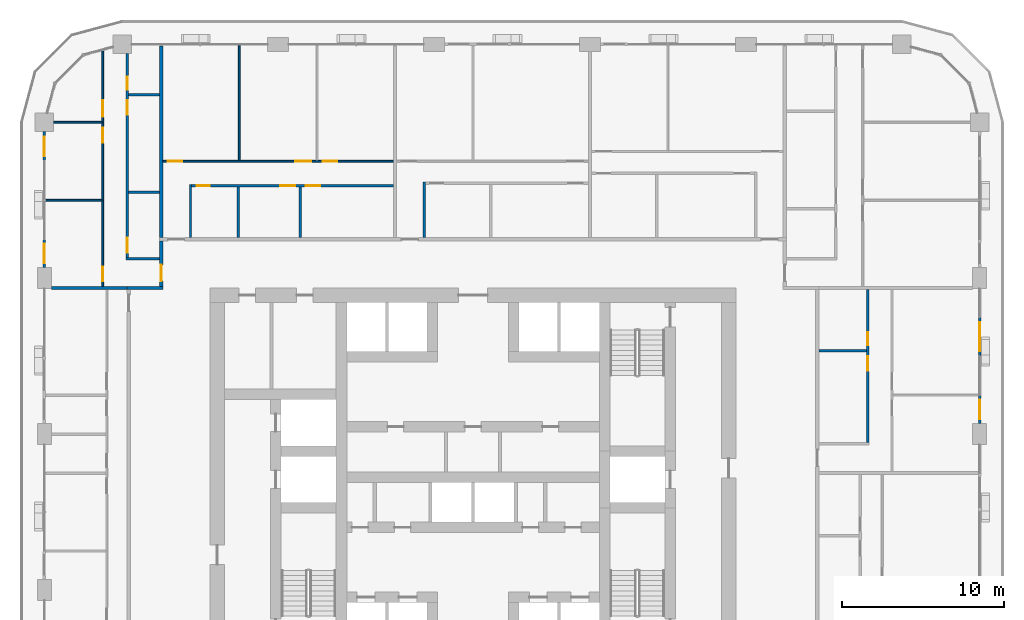
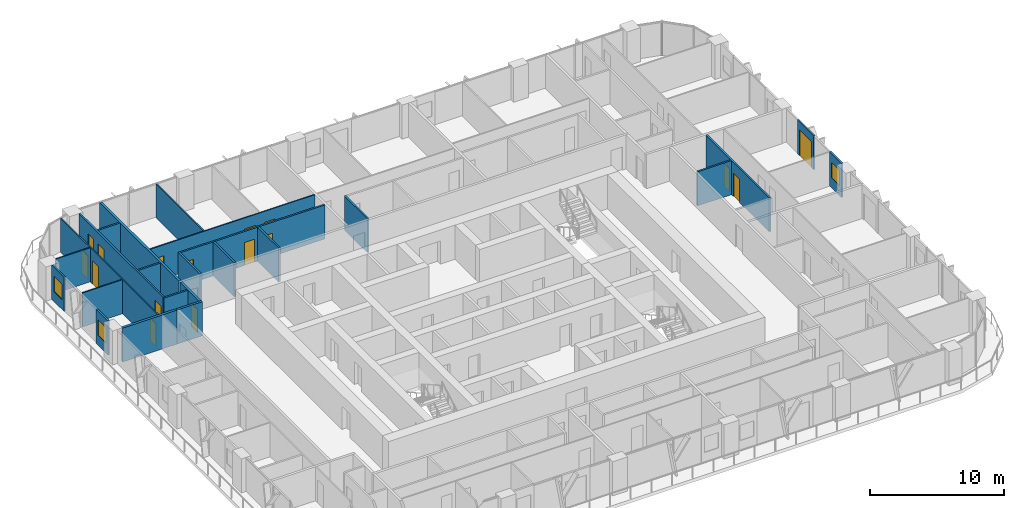
# One storey, part 13 of 21: 24 walls, 16 doors, 3 windows, 19 openings.
"""IFC4 building model written with IfcOpenShell, lengths in metres."""

from ifc_helpers import new_model, si_unit, direction, frame, frame_2d, origin, place, context, subcontext, project, spatial, rectangle, extrude, material, layer, layer_set, type_object, element, fill, save


model = new_model("IFC4")

# Units and contexts
model_context = context("Model", 3, precision=1e-05, world=origin(), true_north=direction((0.0, 1.0)))
body_context = subcontext(model_context, "Body", "Model", "MODEL_VIEW")
ifc_project = project(units=[si_unit("LENGTHUNIT", "METRE"), si_unit("AREAUNIT", "SQUARE_METRE"), si_unit("VOLUMEUNIT", "CUBIC_METRE"), si_unit("PLANEANGLEUNIT", "RADIAN"), si_unit("MASSUNIT", "GRAM", prefix="KILO")], contexts=[model_context])

# Site, building, storey
site_placement = place(None, origin())
site = spatial("IfcSite", under=ifc_project, at=site_placement, CompositionType="ELEMENT")
building_placement = place(site_placement, origin())
building = spatial("IfcBuilding", under=site, at=building_placement, Name="Madar Terraces", CompositionType="ELEMENT")
storey_placement = place(building_placement, frame((0.0, 0.0, 110.199951171875)))
storey = spatial("IfcBuildingStorey", under=building, at=storey_placement, Name="L28", CompositionType="ELEMENT", Elevation=110.199951171875)

# Wall, opening, window
ifc_material_1 = material(Name="Aluminium composite panel, black, over insulated backing", Category="aluminium")
ifc_layer_1 = layer(ifc_material_1, 0.14990234375)
ifc_layer_set_1 = layer_set([ifc_layer_1], Name="Facade bay panel 150")
wall_type_1 = type_object("IfcWallType", Name="Facade bay panel 150", PredefinedType="SOLIDWALL", material=ifc_layer_set_1)
wall_1_placement = place(storey_placement, frame((62.39990234375, 29.449951171875, 0.0), z_axis=(0.0, 0.0, 1.0), x_axis=(0.0, 1.0, 0.0)))
wall_1 = element("IfcWall", 1, at=wall_1_placement, inside=storey, type_object=wall_type_1, Name="Facade bay panel", PredefinedType="SOLIDWALL", context=body_context, shape_type="SweptSolid", body=[
    extrude(rectangle(XDim=1.75, YDim=0.14990234375, at=frame_2d((0.875, 0.0))), origin(), (0.0, 0.0, 1.0), 3.10009765625),
])
opening_1_placement = place(wall_1_placement, frame((0.27490234375, 0.0, 0.89990234375)))
opening_1 = element("IfcOpeningElement", 2, at=opening_1_placement, cuts=wall_1, Name="Opening W1", PredefinedType="OPENING", context=body_context, shape_type="SweptSolid", body=[
    extrude(rectangle(XDim=1.199951171875, YDim=1.39990234375, at=frame_2d((0.60009765625, 0.699951171875))), frame((0.0, 0.0849609375, 0.0), z_axis=(0.0, -1.0, 0.0), x_axis=(1.0, 0.0, 0.0)), (0.0, 0.0, 1.0), 0.169921875),
])
ifc_material_2 = material(Name="Glass, clear, with black aluminium frame", Category="aluminium")
window_type = type_object("IfcWindowType", Name="Vent window 1200 x 1400", PartitioningType="SINGLE_PANEL", PredefinedType="WINDOW", material=ifc_material_2)
window_1_placement = place(opening_1_placement, origin())
window_1 = element("IfcWindow", 3, at=window_1_placement, inside=storey, type_object=window_type, Name="Operable vent window", OverallHeight=1.39990234375, OverallWidth=1.199951171875, PartitioningType="SINGLE_PANEL", PredefinedType="WINDOW", context=body_context, shape_type="SweptSolid", body=[
    extrude(rectangle(XDim=1.199951171875, YDim=1.39990234375, at=frame_2d((0.60009765625, 0.699951171875))), frame((0.0, 0.030029296875, 0.0), z_axis=(0.0, -1.0, 0.0), x_axis=(1.0, 0.0, 0.0)), (0.0, 0.0, 1.0), 0.06005859375),
])
fill(opening_1, window_1)

# Wall, opening, door
wall_2_placement = place(storey_placement, frame((62.39990234375, 33.60009765625, 0.0), z_axis=(0.0, 0.0, 1.0), x_axis=(0.0, 1.0, 0.0)))
wall_2 = element("IfcWall", 4, at=wall_2_placement, inside=storey, type_object=wall_type_1, Name="Facade bay panel", PredefinedType="SOLIDWALL", context=body_context, shape_type="SweptSolid", body=[
    extrude(rectangle(XDim=2.39990234375, YDim=0.14990234375, at=frame_2d((1.199951171875, 0.0))), origin(), (0.0, 0.0, 1.0), 3.10009765625),
])
opening_2_placement = place(wall_2_placement, frame((0.300048828125, 0.0, 0.0)))
opening_2 = element("IfcOpeningElement", 5, at=opening_2_placement, cuts=wall_2, Name="Opening ED1", PredefinedType="OPENING", context=body_context, shape_type="SweptSolid", body=[
    extrude(rectangle(XDim=1.800048828125, YDim=2.39990234375, at=frame_2d((0.89990234375, 1.199951171875))), frame((0.0, 0.0849609375, 0.0), z_axis=(0.0, -1.0, 0.0), x_axis=(1.0, 0.0, 0.0)), (0.0, 0.0, 1.0), 0.169921875),
])
ifc_material_3 = material(Name="Glass, clear, with black aluminium frame", Category="aluminium")
door_type_1 = type_object("IfcDoorType", Name="Balcony and terrace sliding door 1800 x 2400", OperationType="SLIDING_TO_LEFT", PredefinedType="DOOR", material=ifc_material_3)
door_1_placement = place(opening_2_placement, origin())
door_1 = element("IfcDoor", 6, at=door_1_placement, inside=storey, type_object=door_type_1, Name="Balcony door", OperationType="SLIDING_TO_RIGHT", OverallHeight=2.39990234375, OverallWidth=1.800048828125, PredefinedType="DOOR", context=body_context, shape_type="SweptSolid", body=[
    extrude(rectangle(XDim=1.800048828125, YDim=2.39990234375, at=frame_2d((0.89990234375, 1.199951171875))), frame((0.0, 0.02490234375, 0.0), z_axis=(0.0, -1.0, 0.0), x_axis=(1.0, 0.0, 0.0)), (0.0, 0.0, 1.0), 0.050048828125),
])
fill(opening_2, door_1)

# Wall, opening, window
wall_3_placement = place(storey_placement, frame((4.800048828125, 47.425048828125, 0.0), z_axis=(0.0, 0.0, 1.0), x_axis=(0.0, -1.0, 0.0)))
wall_3 = element("IfcWall", 7, at=wall_3_placement, inside=storey, type_object=wall_type_1, Name="Facade bay panel", PredefinedType="SOLIDWALL", context=body_context, shape_type="SweptSolid", body=[
    extrude(rectangle(XDim=1.824951171875, YDim=0.14990234375, at=frame_2d((0.91259765625, 0.0))), origin(), (0.0, 0.0, 1.0), 3.10009765625),
])
opening_3_placement = place(wall_3_placement, frame((0.3125, 0.0, 0.89990234375)))
opening_3 = element("IfcOpeningElement", 8, at=opening_3_placement, cuts=wall_3, Name="Opening W1", PredefinedType="OPENING", context=body_context, shape_type="SweptSolid", body=[
    extrude(rectangle(XDim=1.199951171875, YDim=1.39990234375, at=frame_2d((0.60009765625, 0.699951171875))), frame((0.0, 0.0849609375, 0.0), z_axis=(0.0, -1.0, 0.0), x_axis=(1.0, 0.0, 0.0)), (0.0, 0.0, 1.0), 0.169921875),
])
window_2_placement = place(opening_3_placement, origin())
window_2 = element("IfcWindow", 9, at=window_2_placement, inside=storey, type_object=window_type, Name="Operable vent window", OverallHeight=1.39990234375, OverallWidth=1.199951171875, PartitioningType="SINGLE_PANEL", PredefinedType="WINDOW", context=body_context, shape_type="SweptSolid", body=[
    extrude(rectangle(XDim=1.199951171875, YDim=1.39990234375, at=frame_2d((0.60009765625, 0.699951171875))), frame((0.0, 0.030029296875, 0.0), z_axis=(0.0, -1.0, 0.0), x_axis=(1.0, 0.0, 0.0)), (0.0, 0.0, 1.0), 0.06005859375),
])
fill(opening_3, window_2)

wall_4_placement = place(storey_placement, frame((4.800048828125, 40.800048828125, 0.0), z_axis=(0.0, 0.0, 1.0), x_axis=(0.0, -1.0, 0.0)))
wall_4 = element("IfcWall", 10, at=wall_4_placement, inside=storey, type_object=wall_type_1, Name="Facade bay panel", PredefinedType="SOLIDWALL", context=body_context, shape_type="SweptSolid", body=[
    extrude(rectangle(XDim=1.75, YDim=0.14990234375, at=frame_2d((0.875, 0.0))), origin(), (0.0, 0.0, 1.0), 3.10009765625),
])
opening_4_placement = place(wall_4_placement, frame((0.27490234375, 0.0, 0.89990234375)))
opening_4 = element("IfcOpeningElement", 11, at=opening_4_placement, cuts=wall_4, Name="Opening W1", PredefinedType="OPENING", context=body_context, shape_type="SweptSolid", body=[
    extrude(rectangle(XDim=1.199951171875, YDim=1.39990234375, at=frame_2d((0.60009765625, 0.699951171875))), frame((0.0, 0.0849609375, 0.0), z_axis=(0.0, -1.0, 0.0), x_axis=(1.0, 0.0, 0.0)), (0.0, 0.0, 1.0), 0.169921875),
])
window_3_placement = place(opening_4_placement, origin())
window_3 = element("IfcWindow", 12, at=window_3_placement, inside=storey, type_object=window_type, Name="Operable vent window", OverallHeight=1.39990234375, OverallWidth=1.199951171875, PartitioningType="SINGLE_PANEL", PredefinedType="WINDOW", context=body_context, shape_type="SweptSolid", body=[
    extrude(rectangle(XDim=1.199951171875, YDim=1.39990234375, at=frame_2d((0.60009765625, 0.699951171875))), frame((0.0, 0.030029296875, 0.0), z_axis=(0.0, -1.0, 0.0), x_axis=(1.0, 0.0, 0.0)), (0.0, 0.0, 1.0), 0.06005859375),
])
fill(opening_4, window_3)

# Wall
ifc_material_4 = material(Name="Gypsum board on steel studs", Category="steel")
ifc_layer_2 = layer(ifc_material_4, 0.10009765625)
ifc_layer_set_2 = layer_set([ifc_layer_2], Name="Flat partition 100")
wall_type_2 = type_object("IfcWallType", Name="Flat partition 100", PredefinedType="PARTITIONING", material=ifc_layer_set_2)
wall_5_placement = place(storey_placement, frame((16.800048828125, 45.64990234375, 0.0), z_axis=(0.0, 0.0, 1.0), x_axis=(0.0, 1.0, 0.0)))
element("IfcWall", 13, at=wall_5_placement, inside=storey, type_object=wall_type_2, Name="Flat partition 100", PredefinedType="PARTITIONING", context=body_context, shape_type="SweptSolid", body=[
    extrude(rectangle(XDim=7.050048828125, YDim=0.10009765625, at=frame_2d((3.52490234375, 0.0))), origin(), (0.0, 0.0, 1.0), 3.10009765625),
])

# Wall, openings, doors
wall_6_placement = place(storey_placement, frame((12.10009765625, 45.60009765625, 0.0), z_axis=(0.0, 0.0, 1.0), x_axis=(1.0, 0.0, 0.0)))
wall_6 = element("IfcWall", 14, at=wall_6_placement, inside=storey, type_object=wall_type_2, Name="Flat partition 100", PredefinedType="PARTITIONING", context=body_context, shape_type="SweptSolid", body=[
    extrude(rectangle(XDim=14.199951171875, YDim=0.10009765625, at=frame_2d((7.10009765625, 0.0))), origin(), (0.0, 0.0, 1.0), 3.10009765625),
])
opening_5_placement = place(wall_6_placement, frame((0.300048828125, 0.0, 0.0)))
opening_5 = element("IfcOpeningElement", 15, at=opening_5_placement, cuts=wall_6, Name="Opening D2", PredefinedType="OPENING", context=body_context, shape_type="SweptSolid", body=[
    extrude(rectangle(XDim=0.89990234375, YDim=2.10009765625, at=frame_2d((0.449951171875, 1.050048828125))), frame((0.0, 0.06005859375, 0.0), z_axis=(0.0, -1.0, 0.0), x_axis=(1.0, 0.0, 0.0)), (0.0, 0.0, 1.0), 0.1201171875),
])
opening_6_placement = place(wall_6_placement, frame((8.14990234375, 0.0, 0.0)))
opening_6 = element("IfcOpeningElement", 16, at=opening_6_placement, cuts=wall_6, Name="Opening D3", PredefinedType="OPENING", context=body_context, shape_type="SweptSolid", body=[
    extrude(rectangle(XDim=1.0, YDim=2.10009765625, at=frame_2d((0.5, 1.050048828125))), frame((0.0, 0.06005859375, 0.0), z_axis=(0.0, -1.0, 0.0), x_axis=(1.0, 0.0, 0.0)), (0.0, 0.0, 1.0), 0.1201171875),
])
opening_7_placement = place(wall_6_placement, frame((9.85009765625, 0.0, 0.0)))
opening_7 = element("IfcOpeningElement", 17, at=opening_7_placement, cuts=wall_6, Name="Opening D2", PredefinedType="OPENING", context=body_context, shape_type="SweptSolid", body=[
    extrude(rectangle(XDim=0.89990234375, YDim=2.10009765625, at=frame_2d((0.449951171875, 1.050048828125))), frame((0.0, 0.06005859375, 0.0), z_axis=(0.0, -1.0, 0.0), x_axis=(1.0, 0.0, 0.0)), (0.0, 0.0, 1.0), 0.1201171875),
])
ifc_material_5 = material(Name="Timber door leaf", Category="wood")
door_type_2 = type_object("IfcDoorType", Name="Flat living room door 1000", OperationType="NOTDEFINED", PredefinedType="DOOR", material=ifc_material_5)
door_2_placement = place(opening_6_placement, origin())
door_2 = element("IfcDoor", 18, at=door_2_placement, inside=storey, type_object=door_type_2, Name="Flat living room door 1000", OperationType="SINGLE_SWING_RIGHT", OverallHeight=2.10009765625, OverallWidth=1.0, PredefinedType="DOOR", context=body_context, shape_type="SweptSolid", body=[
    extrude(rectangle(XDim=1.0, YDim=2.10009765625, at=frame_2d((0.5, 1.050048828125))), frame((0.0, 0.02490234375, 0.0), z_axis=(0.0, -1.0, 0.0), x_axis=(1.0, 0.0, 0.0)), (0.0, 0.0, 1.0), 0.050048828125),
])
fill(opening_6, door_2)
ifc_material_6 = material(Name="Timber door leaf", Category="wood")
door_type_3 = type_object("IfcDoorType", Name="Flat room door 900", OperationType="NOTDEFINED", PredefinedType="DOOR", material=ifc_material_6)
door_3_placement = place(opening_5_placement, origin())
door_3 = element("IfcDoor", 19, at=door_3_placement, inside=storey, type_object=door_type_3, Name="Flat room door 900", OperationType="SINGLE_SWING_LEFT", OverallHeight=2.10009765625, OverallWidth=0.89990234375, PredefinedType="DOOR", context=body_context, shape_type="SweptSolid", body=[
    extrude(rectangle(XDim=0.89990234375, YDim=2.10009765625, at=frame_2d((0.449951171875, 1.050048828125))), frame((0.0, 0.02490234375, 0.0), z_axis=(0.0, -1.0, 0.0), x_axis=(1.0, 0.0, 0.0)), (0.0, 0.0, 1.0), 0.050048828125),
])
fill(opening_5, door_3)
door_4_placement = place(opening_7_placement, origin())
door_4 = element("IfcDoor", 20, at=door_4_placement, inside=storey, type_object=door_type_3, Name="Flat room door 900", OperationType="SINGLE_SWING_LEFT", OverallHeight=2.10009765625, OverallWidth=0.89990234375, PredefinedType="DOOR", context=body_context, shape_type="SweptSolid", body=[
    extrude(rectangle(XDim=0.89990234375, YDim=2.10009765625, at=frame_2d((0.449951171875, 1.050048828125))), frame((0.0, 0.02490234375, 0.0), z_axis=(0.0, -1.0, 0.0), x_axis=(1.0, 0.0, 0.0)), (0.0, 0.0, 1.0), 0.050048828125),
])
fill(opening_7, door_4)

# Walls
wall_7_placement = place(storey_placement, frame((8.35009765625, 43.199951171875, 0.0), z_axis=(0.0, 0.0, 1.0), x_axis=(-1.0, 0.0, 0.0)))
element("IfcWall", 21, at=wall_7_placement, inside=storey, type_object=wall_type_2, Name="Flat partition 100", PredefinedType="PARTITIONING", context=body_context, shape_type="SweptSolid", body=[
    extrude(rectangle(XDim=3.4501953125, YDim=0.10009765625, at=frame_2d((1.72509765625, 0.0))), origin(), (0.0, 0.0, 1.0), 3.10009765625),
])
wall_8_placement = place(storey_placement, frame((8.35009765625, 48.0, 0.0), z_axis=(0.0, 0.0, 1.0), x_axis=(-1.0, 0.0, 0.0)))
element("IfcWall", 22, at=wall_8_placement, inside=storey, type_object=wall_type_2, Name="Flat partition 100", PredefinedType="PARTITIONING", context=body_context, shape_type="SweptSolid", body=[
    extrude(rectangle(XDim=2.97509765625, YDim=0.10009765625, at=frame_2d((1.487548828125, 0.0))), origin(), (0.0, 0.0, 1.0), 3.10009765625),
])

# Wall, openings, doors
wall_9_placement = place(storey_placement, frame((8.39990234375, 37.89990234375, 0.0), z_axis=(0.0, 0.0, 1.0), x_axis=(0.0, 1.0, 0.0)))
wall_9 = element("IfcWall", 23, at=wall_9_placement, inside=storey, type_object=wall_type_2, Name="Flat partition 100", PredefinedType="PARTITIONING", context=body_context, shape_type="SweptSolid", body=[
    extrude(rectangle(XDim=14.478515625, YDim=0.10009765625, at=frame_2d((7.2392578125, 0.0))), origin(), (0.0, 0.0, 1.0), 3.10009765625),
])
opening_8_placement = place(wall_9_placement, frame((0.300048828125, 0.0, 0.0)))
opening_8 = element("IfcOpeningElement", 24, at=opening_8_placement, cuts=wall_9, Name="Opening D2", PredefinedType="OPENING", context=body_context, shape_type="SweptSolid", body=[
    extrude(rectangle(XDim=0.89990234375, YDim=2.10009765625, at=frame_2d((0.449951171875, 1.050048828125))), frame((0.0, 0.06005859375, 0.0), z_axis=(0.0, -1.0, 0.0), x_axis=(1.0, 0.0, 0.0)), (0.0, 0.0, 1.0), 0.1201171875),
])
opening_9_placement = place(wall_9_placement, frame((8.85009765625, 0.0, 0.0)))
opening_9 = element("IfcOpeningElement", 25, at=opening_9_placement, cuts=wall_9, Name="Opening D2", PredefinedType="OPENING", context=body_context, shape_type="SweptSolid", body=[
    extrude(rectangle(XDim=0.89990234375, YDim=2.10009765625, at=frame_2d((0.449951171875, 1.050048828125))), frame((0.0, 0.06005859375, 0.0), z_axis=(0.0, -1.0, 0.0), x_axis=(1.0, 0.0, 0.0)), (0.0, 0.0, 1.0), 0.1201171875),
])
opening_10_placement = place(wall_9_placement, frame((10.449951171875, 0.0, 0.0)))
opening_10 = element("IfcOpeningElement", 26, at=opening_10_placement, cuts=wall_9, Name="Opening D3", PredefinedType="OPENING", context=body_context, shape_type="SweptSolid", body=[
    extrude(rectangle(XDim=1.0, YDim=2.10009765625, at=frame_2d((0.5, 1.050048828125))), frame((0.0, 0.06005859375, 0.0), z_axis=(0.0, -1.0, 0.0), x_axis=(1.0, 0.0, 0.0)), (0.0, 0.0, 1.0), 0.1201171875),
])
door_5_placement = place(opening_10_placement, origin())
door_5 = element("IfcDoor", 27, at=door_5_placement, inside=storey, type_object=door_type_2, Name="Flat living room door 1000", OperationType="SINGLE_SWING_LEFT", OverallHeight=2.10009765625, OverallWidth=1.0, PredefinedType="DOOR", context=body_context, shape_type="SweptSolid", body=[
    extrude(rectangle(XDim=1.0, YDim=2.10009765625, at=frame_2d((0.5, 1.050048828125))), frame((0.0, 0.02490234375, 0.0), z_axis=(0.0, -1.0, 0.0), x_axis=(1.0, 0.0, 0.0)), (0.0, 0.0, 1.0), 0.050048828125),
])
fill(opening_10, door_5)
door_6_placement = place(opening_8_placement, origin())
door_6 = element("IfcDoor", 28, at=door_6_placement, inside=storey, type_object=door_type_3, Name="Flat room door 900", OperationType="SINGLE_SWING_LEFT", OverallHeight=2.10009765625, OverallWidth=0.89990234375, PredefinedType="DOOR", context=body_context, shape_type="SweptSolid", body=[
    extrude(rectangle(XDim=0.89990234375, YDim=2.10009765625, at=frame_2d((0.449951171875, 1.050048828125))), frame((0.0, 0.02490234375, 0.0), z_axis=(0.0, -1.0, 0.0), x_axis=(1.0, 0.0, 0.0)), (0.0, 0.0, 1.0), 0.050048828125),
])
fill(opening_8, door_6)
door_7_placement = place(opening_9_placement, origin())
door_7 = element("IfcDoor", 29, at=door_7_placement, inside=storey, type_object=door_type_3, Name="Flat room door 900", OperationType="SINGLE_SWING_RIGHT", OverallHeight=2.10009765625, OverallWidth=0.89990234375, PredefinedType="DOOR", context=body_context, shape_type="SweptSolid", body=[
    extrude(rectangle(XDim=0.89990234375, YDim=2.10009765625, at=frame_2d((0.449951171875, 1.050048828125))), frame((0.0, 0.02490234375, 0.0), z_axis=(0.0, -1.0, 0.0), x_axis=(1.0, 0.0, 0.0)), (0.0, 0.0, 1.0), 0.050048828125),
])
fill(opening_9, door_7)

# Wall, opening, door
ifc_material_7 = material(Name="Lightweight blockwork", Category="masonry")
ifc_layer_3 = layer(ifc_material_7, 0.199951171875)
ifc_layer_set_3 = layer_set([ifc_layer_3], Name="Flat party and entrance wall 200")
wall_type_3 = type_object("IfcWallType", Name="Flat party and entrance wall 200", PredefinedType="PARTITIONING", material=ifc_layer_set_3)
wall_10_placement = place(storey_placement, frame((12.0, 37.89990234375, 0.0), z_axis=(0.0, 0.0, 1.0), x_axis=(0.0, 1.0, 0.0)))
wall_10 = element("IfcWall", 30, at=wall_10_placement, inside=storey, type_object=wall_type_3, Name="Flat party and entrance wall 200", PredefinedType="PARTITIONING", context=body_context, shape_type="SweptSolid", body=[
    extrude(rectangle(XDim=2.800048828125, YDim=0.199951171875, at=frame_2d((1.39990234375, 0.0))), origin(), (0.0, 0.0, 1.0), 3.10009765625),
])
opening_11_placement = place(wall_10_placement, frame((0.324951171875, 0.0, 0.0)))
opening_11 = element("IfcOpeningElement", 31, at=opening_11_placement, cuts=wall_10, Name="Opening D1", PredefinedType="OPENING", context=body_context, shape_type="SweptSolid", body=[
    extrude(rectangle(XDim=1.0, YDim=2.10009765625, at=frame_2d((0.5, 1.050048828125))), frame((0.0, 0.10986328125, 0.0), z_axis=(0.0, -1.0, 0.0), x_axis=(1.0, 0.0, 0.0)), (0.0, 0.0, 1.0), 0.219970703125),
])
ifc_material_8 = material(Name="Timber fire door leaf", Category="wood")
door_type_4 = type_object("IfcDoorType", Name="Flat entrance door 1000 FD30S", OperationType="NOTDEFINED", PredefinedType="DOOR", material=ifc_material_8)
door_8_placement = place(opening_11_placement, origin())
door_8 = element("IfcDoor", 32, at=door_8_placement, inside=storey, type_object=door_type_4, Name="Flat entrance door 1000 FD30S", OperationType="SINGLE_SWING_LEFT", OverallHeight=2.10009765625, OverallWidth=1.0, PredefinedType="DOOR", context=body_context, shape_type="SweptSolid", body=[
    extrude(rectangle(XDim=1.0, YDim=2.10009765625, at=frame_2d((0.5, 1.050048828125))), frame((0.0, 0.02490234375, 0.0), z_axis=(0.0, -1.0, 0.0), x_axis=(1.0, 0.0, 0.0)), (0.0, 0.0, 1.0), 0.050048828125),
])
fill(opening_11, door_8)

# Walls
wall_11_placement = place(storey_placement, frame((12.10009765625, 37.800048828125, 0.0), z_axis=(0.0, 0.0, 1.0), x_axis=(-1.0, 0.0, 0.0)))
element("IfcWall", 33, at=wall_11_placement, inside=storey, type_object=wall_type_3, Name="Flat party and entrance wall 200", PredefinedType="PARTITIONING", context=body_context, shape_type="SweptSolid", body=[
    extrude(rectangle(XDim=2.2001953125, YDim=0.199951171875, at=frame_2d((1.10009765625, 0.0))), origin(), (0.0, 0.0, 1.0), 3.10009765625),
])
wall_12_placement = place(storey_placement, frame((12.0, 52.699951171875, 0.0), z_axis=(0.0, 0.0, 1.0), x_axis=(0.0, -1.0, 0.0)))
element("IfcWall", 34, at=wall_12_placement, inside=storey, type_object=wall_type_3, Name="Flat party and entrance wall 200", PredefinedType="PARTITIONING", context=body_context, shape_type="SweptSolid", body=[
    extrude(rectangle(XDim=11.800048828125, YDim=0.199951171875, at=frame_2d((5.89990234375, 0.0))), origin(), (0.0, 0.0, 1.0), 3.10009765625),
])
wall_13_placement = place(storey_placement, frame((5.22509765625, 37.800048828125, 0.0), z_axis=(0.0, 0.0, 1.0), x_axis=(1.0, 0.0, 0.0)))
element("IfcWall", 35, at=wall_13_placement, inside=storey, type_object=wall_type_3, Name="Flat party and entrance wall 200", PredefinedType="PARTITIONING", context=body_context, shape_type="SweptSolid", body=[
    extrude(rectangle(XDim=4.6748046875, YDim=0.199951171875, at=frame_2d((2.33740234375, 0.0))), origin(), (0.0, 0.0, 1.0), 3.10009765625),
])
ifc_material_9 = material(Name="Lightweight blockwork", Category="masonry")
ifc_layer_4 = layer(ifc_material_9, 0.14990234375)
ifc_layer_set_4 = layer_set([ifc_layer_4], Name="Flat wet-room partition 150")
wall_type_4 = type_object("IfcWallType", Name="Flat wet-room partition 150", PredefinedType="PARTITIONING", material=ifc_layer_set_4)
wall_14_placement = place(storey_placement, frame((52.5, 33.929931640625, 0.0), z_axis=(0.0, 0.0, 1.0), x_axis=(1.0, 0.0, 0.0)))
element("IfcWall", 36, at=wall_14_placement, inside=storey, type_object=wall_type_4, Name="Flat wet-room partition 150", PredefinedType="PARTITIONING", context=body_context, shape_type="SweptSolid", body=[
    extrude(rectangle(XDim=2.925048828125, YDim=0.14990234375, at=frame_2d((1.46240234375, 0.0))), origin(), (0.0, 0.0, 1.0), 3.10009765625),
])

# Wall, openings, doors
wall_15_placement = place(storey_placement, frame((55.5, 28.27490234375, 0.0), z_axis=(0.0, 0.0, 1.0), x_axis=(0.0, 1.0, 0.0)))
wall_15 = element("IfcWall", 37, at=wall_15_placement, inside=storey, type_object=wall_type_4, Name="Flat wet-room partition 150", PredefinedType="PARTITIONING", context=body_context, shape_type="SweptSolid", body=[
    extrude(rectangle(XDim=9.425048828125, YDim=0.14990234375, at=frame_2d((4.71240234375, 0.0))), origin(), (0.0, 0.0, 1.0), 3.10009765625),
])
opening_12_placement = place(wall_15_placement, frame((4.429931640625, 0.0, 0.0)))
opening_12 = element("IfcOpeningElement", 38, at=opening_12_placement, cuts=wall_15, Name="Opening D2", PredefinedType="OPENING", context=body_context, shape_type="SweptSolid", body=[
    extrude(rectangle(XDim=0.89990234375, YDim=2.10009765625, at=frame_2d((0.449951171875, 1.050048828125))), frame((0.0, 0.0849609375, 0.0), z_axis=(0.0, -1.0, 0.0), x_axis=(1.0, 0.0, 0.0)), (0.0, 0.0, 1.0), 0.169921875),
])
opening_13_placement = place(wall_15_placement, frame((5.97998046875, 0.0, 0.0)))
opening_13 = element("IfcOpeningElement", 39, at=opening_13_placement, cuts=wall_15, Name="Opening D4", PredefinedType="OPENING", context=body_context, shape_type="SweptSolid", body=[
    extrude(rectangle(XDim=0.800048828125, YDim=2.10009765625, at=frame_2d((0.39990234375, 1.050048828125))), frame((0.0, 0.0849609375, 0.0), z_axis=(0.0, -1.0, 0.0), x_axis=(1.0, 0.0, 0.0)), (0.0, 0.0, 1.0), 0.169921875),
])
ifc_material_10 = material(Name="Timber door leaf", Category="wood")
door_type_5 = type_object("IfcDoorType", Name="Flat bathroom door 800", OperationType="NOTDEFINED", PredefinedType="DOOR", material=ifc_material_10)
door_9_placement = place(opening_13_placement, origin())
door_9 = element("IfcDoor", 40, at=door_9_placement, inside=storey, type_object=door_type_5, Name="Flat bathroom door 800", OperationType="SINGLE_SWING_LEFT", OverallHeight=2.10009765625, OverallWidth=0.800048828125, PredefinedType="DOOR", context=body_context, shape_type="SweptSolid", body=[
    extrude(rectangle(XDim=0.800048828125, YDim=2.10009765625, at=frame_2d((0.39990234375, 1.050048828125))), frame((0.0, 0.02490234375, 0.0), z_axis=(0.0, -1.0, 0.0), x_axis=(1.0, 0.0, 0.0)), (0.0, 0.0, 1.0), 0.050048828125),
])
fill(opening_13, door_9)
door_10_placement = place(opening_12_placement, origin())
door_10 = element("IfcDoor", 41, at=door_10_placement, inside=storey, type_object=door_type_3, Name="Flat room door 900", OperationType="SINGLE_SWING_RIGHT", OverallHeight=2.10009765625, OverallWidth=0.89990234375, PredefinedType="DOOR", context=body_context, shape_type="SweptSolid", body=[
    extrude(rectangle(XDim=0.89990234375, YDim=2.10009765625, at=frame_2d((0.449951171875, 1.050048828125))), frame((0.0, 0.02490234375, 0.0), z_axis=(0.0, -1.0, 0.0), x_axis=(1.0, 0.0, 0.0)), (0.0, 0.0, 1.0), 0.050048828125),
])
fill(opening_12, door_10)

# Walls
wall_16_placement = place(storey_placement, frame((28.199951171875, 40.89990234375, 0.0), z_axis=(0.0, 0.0, 1.0), x_axis=(0.0, 1.0, 0.0)))
element("IfcWall", 42, at=wall_16_placement, inside=storey, type_object=wall_type_4, Name="Flat wet-room partition 150", PredefinedType="PARTITIONING", context=body_context, shape_type="SweptSolid", body=[
    extrude(rectangle(XDim=3.425048828125, YDim=0.14990234375, at=frame_2d((1.71240234375, 0.0))), origin(), (0.0, 0.0, 1.0), 3.10009765625),
])
for number, where, z_axis, x_axis, name in (
    (43, (16.7421875, 40.89990234375, 0.0), (0.0, 0.0, 1.0), (0.0, 1.0, 0.0), "Flat wet-room partition 150"),
    (44, (20.5654296875, 40.89990234375, 0.0), (0.0, 0.0, 1.0), (0.0, 1.0, 0.0), "Flat wet-room partition 150"),
):
    element("IfcWall", number, at=place(storey_placement, frame(where, z_axis=z_axis, x_axis=x_axis)), inside=storey, type_object=wall_type_4, Name=name, PredefinedType="PARTITIONING", context=body_context, shape_type="SweptSolid", body=[
        extrude(rectangle(XDim=3.125, YDim=0.14990234375, at=frame_2d((1.5625, 0.0))), origin(), (0.0, 0.0, 1.0), 3.10009765625),
    ])
wall_17_placement = place(storey_placement, frame((13.800048828125, 40.89990234375, 0.0), z_axis=(0.0, 0.0, 1.0), x_axis=(0.0, 1.0, 0.0)))
element("IfcWall", 45, at=wall_17_placement, inside=storey, type_object=wall_type_4, Name="Flat wet-room partition 150", PredefinedType="PARTITIONING", context=body_context, shape_type="SweptSolid", body=[
    extrude(rectangle(XDim=3.275146484375, YDim=0.14990234375, at=frame_2d((1.6376953125, 0.0))), origin(), (0.0, 0.0, 1.0), 3.10009765625),
])

# Wall, openings, doors
wall_18_placement = place(storey_placement, frame((26.300048828125, 44.10009765625, 0.0), z_axis=(0.0, 0.0, 1.0), x_axis=(-1.0, 0.0, 0.0)))
wall_18 = element("IfcWall", 46, at=wall_18_placement, inside=storey, type_object=wall_type_4, Name="Flat wet-room partition 150", PredefinedType="PARTITIONING", context=body_context, shape_type="SweptSolid", body=[
    extrude(rectangle(XDim=12.425048828125, YDim=0.14990234375, at=frame_2d((6.21240234375, 0.0))), origin(), (0.0, 0.0, 1.0), 3.10009765625),
])
opening_14_placement = place(wall_18_placement, frame((11.324951171875, 0.0, 0.0)))
opening_14 = element("IfcOpeningElement", 47, at=opening_14_placement, cuts=wall_18, Name="Opening D4", PredefinedType="OPENING", context=body_context, shape_type="SweptSolid", body=[
    extrude(rectangle(XDim=0.800048828125, YDim=2.10009765625, at=frame_2d((0.39990234375, 1.050048828125))), frame((0.0, 0.0849609375, 0.0), z_axis=(0.0, -1.0, 0.0), x_axis=(1.0, 0.0, 0.0)), (0.0, 0.0, 1.0), 0.169921875),
])
opening_15_placement = place(wall_18_placement, frame((6.0595703125, 0.0, 0.0)))
opening_15 = element("IfcOpeningElement", 48, at=opening_15_placement, cuts=wall_18, Name="Opening D5", PredefinedType="OPENING", context=body_context, shape_type="SweptSolid", body=[
    extrude(rectangle(XDim=0.89990234375, YDim=2.10009765625, at=frame_2d((0.449951171875, 1.050048828125))), frame((0.0, 0.0849609375, 0.0), z_axis=(0.0, -1.0, 0.0), x_axis=(1.0, 0.0, 0.0)), (0.0, 0.0, 1.0), 0.169921875),
])
opening_16_placement = place(wall_18_placement, frame((4.509521484375, 0.0, 0.0)))
opening_16 = element("IfcOpeningElement", 49, at=opening_16_placement, cuts=wall_18, Name="Opening D2", PredefinedType="OPENING", context=body_context, shape_type="SweptSolid", body=[
    extrude(rectangle(XDim=0.89990234375, YDim=2.10009765625, at=frame_2d((0.449951171875, 1.050048828125))), frame((0.0, 0.0849609375, 0.0), z_axis=(0.0, -1.0, 0.0), x_axis=(1.0, 0.0, 0.0)), (0.0, 0.0, 1.0), 0.169921875),
])
ifc_material_11 = material(Name="Timber door leaf", Category="wood")
door_type_6 = type_object("IfcDoorType", Name="Flat accessible bathroom door 900", OperationType="NOTDEFINED", PredefinedType="DOOR", material=ifc_material_11)
door_11_placement = place(opening_15_placement, origin())
door_11 = element("IfcDoor", 50, at=door_11_placement, inside=storey, type_object=door_type_6, Name="Flat accessible bathroom door 900", OperationType="SINGLE_SWING_LEFT", OverallHeight=2.10009765625, OverallWidth=0.89990234375, PredefinedType="DOOR", context=body_context, shape_type="SweptSolid", body=[
    extrude(rectangle(XDim=0.89990234375, YDim=2.10009765625, at=frame_2d((0.449951171875, 1.050048828125))), frame((0.0, 0.02490234375, 0.0), z_axis=(0.0, -1.0, 0.0), x_axis=(1.0, 0.0, 0.0)), (0.0, 0.0, 1.0), 0.050048828125),
])
fill(opening_15, door_11)
door_12_placement = place(opening_14_placement, origin())
door_12 = element("IfcDoor", 51, at=door_12_placement, inside=storey, type_object=door_type_5, Name="Flat bathroom door 800", OperationType="SINGLE_SWING_RIGHT", OverallHeight=2.10009765625, OverallWidth=0.800048828125, PredefinedType="DOOR", context=body_context, shape_type="SweptSolid", body=[
    extrude(rectangle(XDim=0.800048828125, YDim=2.10009765625, at=frame_2d((0.39990234375, 1.050048828125))), frame((0.0, 0.02490234375, 0.0), z_axis=(0.0, -1.0, 0.0), x_axis=(1.0, 0.0, 0.0)), (0.0, 0.0, 1.0), 0.050048828125),
])
fill(opening_14, door_12)
door_13_placement = place(opening_16_placement, origin())
door_13 = element("IfcDoor", 52, at=door_13_placement, inside=storey, type_object=door_type_3, Name="Flat room door 900", OperationType="SINGLE_SWING_RIGHT", OverallHeight=2.10009765625, OverallWidth=0.89990234375, PredefinedType="DOOR", context=body_context, shape_type="SweptSolid", body=[
    extrude(rectangle(XDim=0.89990234375, YDim=2.10009765625, at=frame_2d((0.449951171875, 1.050048828125))), frame((0.0, 0.02490234375, 0.0), z_axis=(0.0, -1.0, 0.0), x_axis=(1.0, 0.0, 0.0)), (0.0, 0.0, 1.0), 0.050048828125),
])
fill(opening_16, door_13)

# Walls
for number, where, z_axis, x_axis, name in (
    (53, (11.89990234375, 43.6826171875, 0.0), (0.0, 0.0, 1.0), (-1.0, 0.0, 0.0), "Flat wet-room partition 150"),
    (54, (11.89990234375, 49.694091796875, 0.0), (0.0, 0.0, 1.0), (-1.0, 0.0, 0.0), "Flat wet-room partition 150"),
):
    element("IfcWall", number, at=place(storey_placement, frame(where, z_axis=z_axis, x_axis=x_axis)), inside=storey, type_object=wall_type_4, Name=name, PredefinedType="PARTITIONING", context=body_context, shape_type="SweptSolid", body=[
        extrude(rectangle(XDim=1.9248046875, YDim=0.14990234375, at=frame_2d((0.96240234375, 0.0))), origin(), (0.0, 0.0, 1.0), 3.10009765625),
    ])
wall_19_placement = place(storey_placement, frame((11.89990234375, 39.60009765625, 0.0), z_axis=(0.0, 0.0, 1.0), x_axis=(-1.0, 0.0, 0.0)))
element("IfcWall", 55, at=wall_19_placement, inside=storey, type_object=wall_type_4, Name="Flat wet-room partition 150", PredefinedType="PARTITIONING", context=body_context, shape_type="SweptSolid", body=[
    extrude(rectangle(XDim=2.074951171875, YDim=0.14990234375, at=frame_2d((1.03759765625, 0.0))), origin(), (0.0, 0.0, 1.0), 3.10009765625),
])

# Wall, openings, doors
wall_20_placement = place(storey_placement, frame((9.89990234375, 52.22509765625, 0.0), z_axis=(0.0, 0.0, 1.0), x_axis=(0.0, -1.0, 0.0)))
wall_20 = element("IfcWall", 56, at=wall_20_placement, inside=storey, type_object=wall_type_4, Name="Flat wet-room partition 150", PredefinedType="PARTITIONING", context=body_context, shape_type="SweptSolid", body=[
    extrude(rectangle(XDim=12.550048828125, YDim=0.14990234375, at=frame_2d((6.27490234375, 0.0))), origin(), (0.0, 0.0, 1.0), 3.10009765625),
])
opening_17_placement = place(wall_20_placement, frame((11.35009765625, 0.0, 0.0)))
opening_17 = element("IfcOpeningElement", 57, at=opening_17_placement, cuts=wall_20, Name="Opening D5", PredefinedType="OPENING", context=body_context, shape_type="SweptSolid", body=[
    extrude(rectangle(XDim=0.89990234375, YDim=2.10009765625, at=frame_2d((0.449951171875, 1.050048828125))), frame((0.0, 0.0849609375, 0.0), z_axis=(0.0, -1.0, 0.0), x_axis=(1.0, 0.0, 0.0)), (0.0, 0.0, 1.0), 0.169921875),
])
opening_18_placement = place(wall_20_placement, frame((2.855712890625, 0.0, 0.0)))
opening_18 = element("IfcOpeningElement", 58, at=opening_18_placement, cuts=wall_20, Name="Opening D2", PredefinedType="OPENING", context=body_context, shape_type="SweptSolid", body=[
    extrude(rectangle(XDim=0.89990234375, YDim=2.10009765625, at=frame_2d((0.449951171875, 1.050048828125))), frame((0.0, 0.0849609375, 0.0), z_axis=(0.0, -1.0, 0.0), x_axis=(1.0, 0.0, 0.0)), (0.0, 0.0, 1.0), 0.169921875),
])
opening_19_placement = place(wall_20_placement, frame((1.40576171875, 0.0, 0.0)))
opening_19 = element("IfcOpeningElement", 59, at=opening_19_placement, cuts=wall_20, Name="Opening D4", PredefinedType="OPENING", context=body_context, shape_type="SweptSolid", body=[
    extrude(rectangle(XDim=0.800048828125, YDim=2.10009765625, at=frame_2d((0.39990234375, 1.050048828125))), frame((0.0, 0.0849609375, 0.0), z_axis=(0.0, -1.0, 0.0), x_axis=(1.0, 0.0, 0.0)), (0.0, 0.0, 1.0), 0.169921875),
])
door_14_placement = place(opening_17_placement, origin())
door_14 = element("IfcDoor", 60, at=door_14_placement, inside=storey, type_object=door_type_6, Name="Flat accessible bathroom door 900", OperationType="SINGLE_SWING_RIGHT", OverallHeight=2.10009765625, OverallWidth=0.89990234375, PredefinedType="DOOR", context=body_context, shape_type="SweptSolid", body=[
    extrude(rectangle(XDim=0.89990234375, YDim=2.10009765625, at=frame_2d((0.449951171875, 1.050048828125))), frame((0.0, 0.02490234375, 0.0), z_axis=(0.0, -1.0, 0.0), x_axis=(1.0, 0.0, 0.0)), (0.0, 0.0, 1.0), 0.050048828125),
])
fill(opening_17, door_14)
door_15_placement = place(opening_19_placement, origin())
door_15 = element("IfcDoor", 61, at=door_15_placement, inside=storey, type_object=door_type_5, Name="Flat bathroom door 800", OperationType="SINGLE_SWING_RIGHT", OverallHeight=2.10009765625, OverallWidth=0.800048828125, PredefinedType="DOOR", context=body_context, shape_type="SweptSolid", body=[
    extrude(rectangle(XDim=0.800048828125, YDim=2.10009765625, at=frame_2d((0.39990234375, 1.050048828125))), frame((0.0, 0.02490234375, 0.0), z_axis=(0.0, -1.0, 0.0), x_axis=(1.0, 0.0, 0.0)), (0.0, 0.0, 1.0), 0.050048828125),
])
fill(opening_19, door_15)
door_16_placement = place(opening_18_placement, origin())
door_16 = element("IfcDoor", 62, at=door_16_placement, inside=storey, type_object=door_type_3, Name="Flat room door 900", OperationType="SINGLE_SWING_LEFT", OverallHeight=2.10009765625, OverallWidth=0.89990234375, PredefinedType="DOOR", context=body_context, shape_type="SweptSolid", body=[
    extrude(rectangle(XDim=0.89990234375, YDim=2.10009765625, at=frame_2d((0.449951171875, 1.050048828125))), frame((0.0, 0.02490234375, 0.0), z_axis=(0.0, -1.0, 0.0), x_axis=(1.0, 0.0, 0.0)), (0.0, 0.0, 1.0), 0.050048828125),
])
fill(opening_18, door_16)

save(model, "model.ifc")
